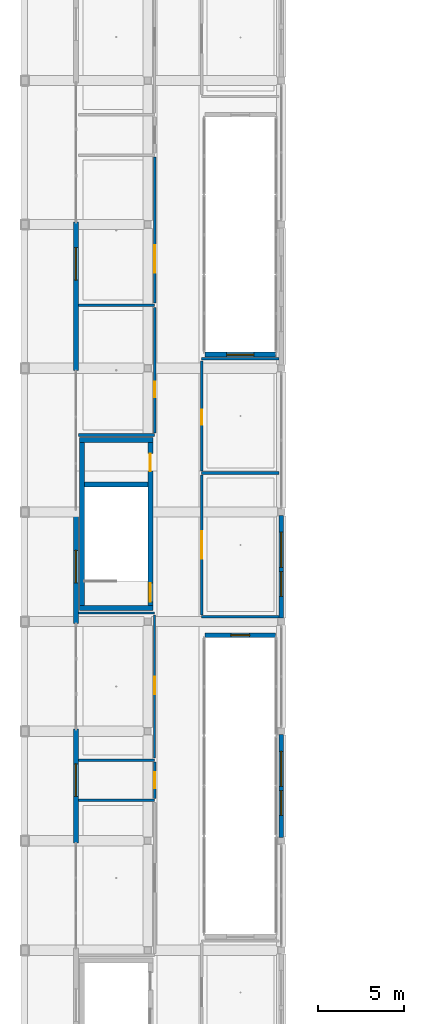
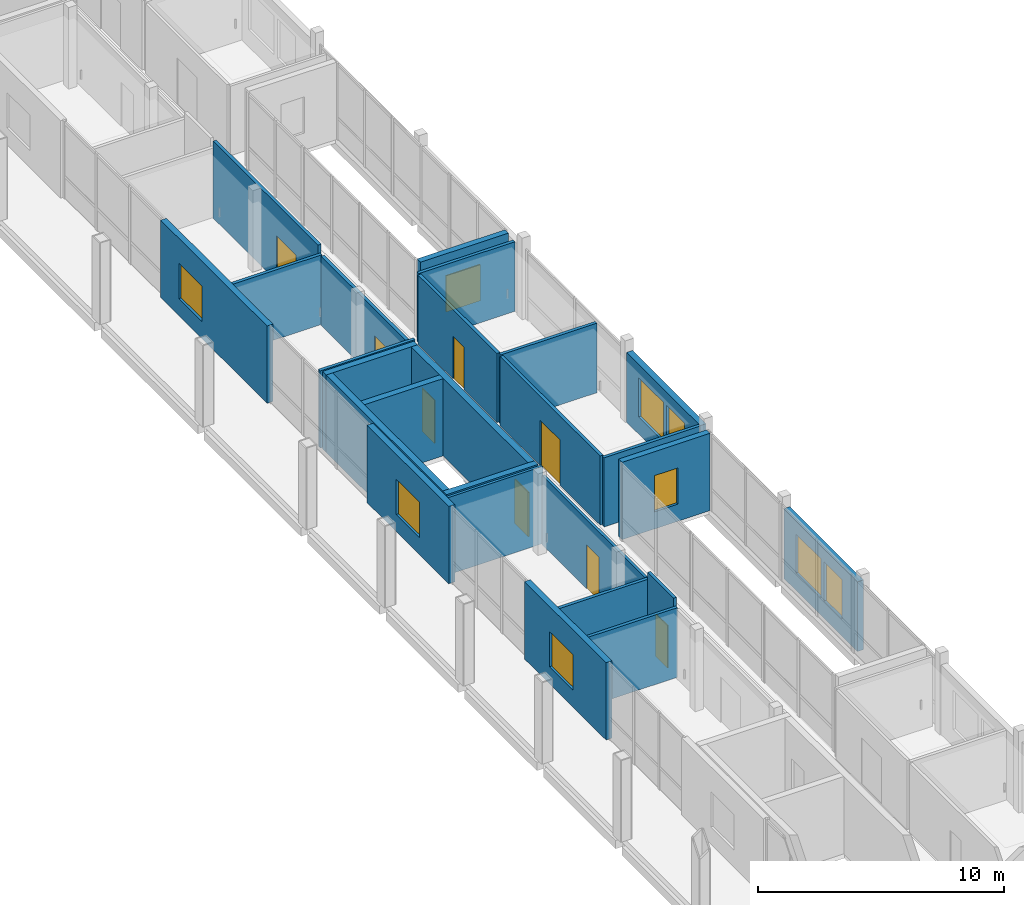
# One storey, part 12 of 24: 26 walls, 9 windows, 8 doors, 17 openings.
"""IFC4 building model written with IfcOpenShell, lengths in metres."""

from ifc_helpers import new_model, si_unit, derived_unit, direction, frame, frame_2d, origin, origin_with_axes, place, context, subcontext, project, spatial, rectangle, extrude, material, layer, layer_set, type_object, element, fill, save


model = new_model("IFC4")

# Units and contexts
model_context = context("Model", 3, precision=1e-05, world=origin(), true_north=direction((0.0, 1.0)))
body_context = subcontext(model_context, "Body", "Model", "MODEL_VIEW")
ifc_project = project(units=[si_unit("LENGTHUNIT", "METRE"), si_unit("AREAUNIT", "SQUARE_METRE"), si_unit("VOLUMEUNIT", "CUBIC_METRE"), si_unit("PLANEANGLEUNIT", "RADIAN"), si_unit("MASSUNIT", "GRAM", prefix="KILO"), derived_unit("THERMALTRANSMITTANCEUNIT", [(si_unit("POWERUNIT", "WATT"), 1), (si_unit("LENGTHUNIT", "METRE"), -2), (si_unit("THERMODYNAMICTEMPERATUREUNIT", "KELVIN"), -1)])], contexts=[model_context])

# Site, building, storey
site_placement = place(None, origin())
site = spatial("IfcSite", under=ifc_project, at=site_placement, CompositionType="ELEMENT")
building_placement = place(site_placement, origin())
building = spatial("IfcBuilding", under=site, at=building_placement, Name="Braskholm Square Health Centre", CompositionType="ELEMENT")
storey_placement = place(building_placement, frame((0.0, 0.0, 21.60009765625)))
storey = spatial("IfcBuildingStorey", under=building, at=storey_placement, Name="L06", CompositionType="ELEMENT", Elevation=21.60009765625)

# Wall, opening, door
ifc_material_1 = material(Name="Acoustic gypsum board partition")
ifc_layer_1 = layer(ifc_material_1, 0.125)
ifc_layer_set_1 = layer_set([ifc_layer_1], Name="Acoustic gypsum board partition")
wall_type_1 = type_object("IfcWallType", Name="ClinicalExamPartition125", PredefinedType="PARTITIONING", material=ifc_layer_set_1)
wall_1_placement = place(storey_placement, frame((11.800048828125, 41.030029296875, 0.0), z_axis=(0.0, 0.0, 1.0), x_axis=(0.0, 1.0, 0.0)))
wall_1 = element("IfcWall", 1, at=wall_1_placement, inside=storey, type_object=wall_type_1, Name="Interior partition PWALL-L06-0253", PredefinedType="PARTITIONING", context=body_context, shape_type="SweptSolid", body=[
    extrude(rectangle(XDim=8.349853515625, YDim=0.125, at=frame_2d((4.1748046875, 0.0))), origin(), (0.0, 0.0, 1.0), 3.434814453125),
])
opening_1_placement = place(wall_1_placement, frame((3.740966796875, 0.0, 0.0)))
opening_1 = element("IfcOpeningElement", 2, at=opening_1_placement, cuts=wall_1, Name="Opening D-25", PredefinedType="OPENING", context=body_context, shape_type="SweptSolid", body=[
    extrude(rectangle(XDim=1.02001953125, YDim=2.179931640625, at=frame_2d((0.510009765625, 1.08984375))), frame((0.0, 0.072509765625, 0.0), z_axis=(0.0, -1.0, 0.0), x_axis=(1.0, 0.0, 0.0)), (0.0, 0.0, 1.0), 0.14501953125),
])
ifc_material_2 = material(Name="Architectural bronze anodised aluminium", Category="aluminium")
door_type_1 = type_object("IfcDoorType", Name="DoorConsultWide1020x2180", OperationType="NOTDEFINED", PredefinedType="DOOR", material=ifc_material_2)
door_1_placement = place(opening_1_placement, origin_with_axes())
door_1 = element("IfcDoor", 3, at=door_1_placement, inside=storey, type_object=door_type_1, Name="Interior door 0117 L06", OperationType="SINGLE_SWING_RIGHT", OverallHeight=2.179931640625, OverallWidth=1.02001953125, PredefinedType="DOOR", context=body_context, shape_type="SweptSolid", body=[
    extrude(rectangle(XDim=1.02001953125, YDim=2.179931640625, at=frame_2d((0.510009765625, 1.08984375))), frame((0.0, 0.02490234375, 0.0), z_axis=(0.0, -1.0, 0.0), x_axis=(1.0, 0.0, 0.0)), (0.0, 0.0, 1.0), 0.050048828125),
])
fill(opening_1, door_1)

# Walls
wall_2_placement = place(storey_placement, frame((7.340087890625, 49.5, 0.0), z_axis=(0.0, 0.0, 1.0), x_axis=(1.0, 0.0, 0.0)))
element("IfcWall", 4, at=wall_2_placement, inside=storey, type_object=wall_type_1, Name="Interior partition PWALL-L06-0254", PredefinedType="PARTITIONING", context=body_context, shape_type="SweptSolid", body=[
    extrude(rectangle(XDim=4.4599609375, YDim=0.125, at=frame_2d((2.22998046875, 0.0))), origin(), (0.0, 0.0, 1.0), 3.8349609375),
])
ifc_layer_2 = layer(ifc_material_1, 0.14990234375)
ifc_layer_set_2 = layer_set([ifc_layer_2], Name="Acoustic gypsum board partition")
wall_type_2 = type_object("IfcWallType", Name="CorridorAcousticPartition150", PredefinedType="PARTITIONING", material=ifc_layer_set_2)
wall_3_placement = place(storey_placement, frame((7.340087890625, 38.56005859375, 0.0), z_axis=(0.0, 0.0, 1.0), x_axis=(1.0, 0.0, 0.0)))
element("IfcWall", 5, at=wall_3_placement, inside=storey, type_object=wall_type_2, Name="Interior partition PWALL-L06-0249", PredefinedType="PARTITIONING", context=body_context, shape_type="SweptSolid", body=[
    extrude(rectangle(XDim=4.4599609375, YDim=0.14990234375, at=frame_2d((2.22998046875, 0.0))), origin(), (0.0, 0.0, 1.0), 3.454833984375),
])

# Wall, opening, door
wall_4_placement = place(storey_placement, frame((11.800048828125, 38.679931640625, 0.0), z_axis=(0.0, 0.0, 1.0), x_axis=(0.0, 1.0, 0.0)))
wall_4 = element("IfcWall", 6, at=wall_4_placement, inside=storey, type_object=wall_type_2, Name="Interior partition PWALL-L06-0251", PredefinedType="PARTITIONING", context=body_context, shape_type="SweptSolid", body=[
    extrude(rectangle(XDim=2.110107421875, YDim=0.14990234375, at=frame_2d((1.05517578125, 0.0))), origin(), (0.0, 0.0, 1.0), 3.8349609375),
])
opening_2_placement = place(wall_4_placement, frame((0.574951171875, 0.0, 0.0)))
opening_2 = element("IfcOpeningElement", 7, at=opening_2_placement, cuts=wall_4, Name="Opening D-05", PredefinedType="OPENING", context=body_context, shape_type="SweptSolid", body=[
    extrude(rectangle(XDim=0.9599609375, YDim=2.10009765625, at=frame_2d((0.47998046875, 1.050048828125))), frame((0.0, 0.0849609375, 0.0), z_axis=(0.0, -1.0, 0.0), x_axis=(1.0, 0.0, 0.0)), (0.0, 0.0, 1.0), 0.169921875),
])
door_type_2 = type_object("IfcDoorType", Name="DoorAccessibleWC960x2100", OperationType="NOTDEFINED", PredefinedType="DOOR", material=ifc_material_2)
door_2_placement = place(opening_2_placement, origin_with_axes())
door_2 = element("IfcDoor", 8, at=door_2_placement, inside=storey, type_object=door_type_2, Name="Interior door 0116 L06", OperationType="SINGLE_SWING_LEFT", OverallHeight=2.10009765625, OverallWidth=0.9599609375, PredefinedType="DOOR", context=body_context, shape_type="SweptSolid", body=[
    extrude(rectangle(XDim=0.9599609375, YDim=2.10009765625, at=frame_2d((0.47998046875, 1.050048828125))), frame((0.0, 0.02490234375, 0.0), z_axis=(0.0, -1.0, 0.0), x_axis=(1.0, 0.0, 0.0)), (0.0, 0.0, 1.0), 0.050048828125),
])
fill(opening_2, door_2)

# Wall
wall_5_placement = place(storey_placement, frame((7.340087890625, 40.909912109375, 0.0), z_axis=(0.0, 0.0, 1.0), x_axis=(1.0, 0.0, 0.0)))
element("IfcWall", 9, at=wall_5_placement, inside=storey, type_object=wall_type_2, Name="Interior partition PWALL-L06-0252", PredefinedType="PARTITIONING", context=body_context, shape_type="SweptSolid", body=[
    extrude(rectangle(XDim=4.4599609375, YDim=0.14990234375, at=frame_2d((2.22998046875, 0.0))), origin(), (0.0, 0.0, 1.0), 3.454833984375),
])

# Wall, opening, door
wall_6_placement = place(storey_placement, frame((11.800048828125, 60.02001953125, 0.0), z_axis=(0.0, 0.0, 1.0), x_axis=(0.0, 1.0, 0.0)))
wall_6 = element("IfcWall", 10, at=wall_6_placement, inside=storey, type_object=wall_type_2, Name="Interior partition PWALL-L06-0255", PredefinedType="PARTITIONING", context=body_context, shape_type="SweptSolid", body=[
    extrude(rectangle(XDim=7.340087890625, YDim=0.14990234375, at=frame_2d((3.669921875, 0.0))), origin(), (0.0, 0.0, 1.0), 3.434814453125),
])
opening_3_placement = place(wall_6_placement, frame((2.08203125, 0.0, 0.0)))
opening_3 = element("IfcOpeningElement", 11, at=opening_3_placement, cuts=wall_6, Name="Opening D-07", PredefinedType="OPENING", context=body_context, shape_type="SweptSolid", body=[
    extrude(rectangle(XDim=0.89990234375, YDim=2.1201171875, at=frame_2d((0.449951171875, 1.06005859375))), frame((0.0, 0.0849609375, 0.0), z_axis=(0.0, -1.0, 0.0), x_axis=(1.0, 0.0, 0.0)), (0.0, 0.0, 1.0), 0.169921875),
])
door_type_3 = type_object("IfcDoorType", Name="DoorProviderOffice900x2120", OperationType="NOTDEFINED", PredefinedType="DOOR", material=ifc_material_2)
door_3_placement = place(opening_3_placement, origin_with_axes())
door_3 = element("IfcDoor", 12, at=door_3_placement, inside=storey, type_object=door_type_3, Name="Interior door 0118 L06", OperationType="SINGLE_SWING_LEFT", OverallHeight=2.1201171875, OverallWidth=0.89990234375, PredefinedType="DOOR", context=body_context, shape_type="SweptSolid", body=[
    extrude(rectangle(XDim=0.89990234375, YDim=2.1201171875, at=frame_2d((0.449951171875, 1.06005859375))), frame((0.0, 0.02490234375, 0.0), z_axis=(0.0, -1.0, 0.0), x_axis=(1.0, 0.0, 0.0)), (0.0, 0.0, 1.0), 0.050048828125),
])
fill(opening_3, door_3)

# Walls
wall_7_placement = place(storey_placement, frame((7.340087890625, 67.47998046875, 0.0), z_axis=(0.0, 0.0, 1.0), x_axis=(1.0, 0.0, 0.0)))
element("IfcWall", 13, at=wall_7_placement, inside=storey, type_object=wall_type_2, Name="Interior partition PWALL-L06-0256", PredefinedType="PARTITIONING", context=body_context, shape_type="SweptSolid", body=[
    extrude(rectangle(XDim=4.4599609375, YDim=0.14990234375, at=frame_2d((2.22998046875, 0.0))), origin(), (0.0, 0.0, 1.0), 3.454833984375),
])
wall_8_placement = place(storey_placement, frame((7.340087890625, 59.89990234375, 0.0), z_axis=(0.0, 0.0, 1.0), x_axis=(1.0, 0.0, 0.0)))
element("IfcWall", 14, at=wall_8_placement, inside=storey, type_object=wall_type_2, Name="Interior partition PWALL-L06-0257", PredefinedType="PARTITIONING", context=body_context, shape_type="SweptSolid", body=[
    extrude(rectangle(XDim=4.4599609375, YDim=0.14990234375, at=frame_2d((2.22998046875, 0.0))), origin(), (0.0, 0.0, 1.0), 3.8349609375),
])

# Wall, opening, door
wall_9_placement = place(storey_placement, frame((11.800048828125, 67.60009765625, 0.0), z_axis=(0.0, 0.0, 1.0), x_axis=(0.0, 1.0, 0.0)))
wall_9 = element("IfcWall", 15, at=wall_9_placement, inside=storey, type_object=wall_type_2, Name="Interior partition PWALL-L06-0258", PredefinedType="PARTITIONING", context=body_context, shape_type="SweptSolid", body=[
    extrude(rectangle(XDim=8.52978515625, YDim=0.14990234375, at=frame_2d((4.264892578125, 0.0))), origin(), (0.0, 0.0, 1.0), 3.8349609375),
])
opening_4_placement = place(wall_9_placement, frame((1.785888671875, 0.0, 0.0)))
opening_4 = element("IfcOpeningElement", 16, at=opening_4_placement, cuts=wall_9, Name="Opening D-11", PredefinedType="OPENING", context=body_context, shape_type="SweptSolid", body=[
    extrude(rectangle(XDim=1.60009765625, YDim=2.25, at=frame_2d((0.800048828125, 1.125))), frame((0.0, 0.0849609375, 0.0), z_axis=(0.0, -1.0, 0.0), x_axis=(1.0, 0.0, 0.0)), (0.0, 0.0, 1.0), 0.169921875),
])
door_type_4 = type_object("IfcDoorType", Name="DoorClassroomDouble1600x2250", OperationType="DOUBLE_DOOR_SINGLE_SWING", PredefinedType="DOOR", material=ifc_material_2)
door_4_placement = place(opening_4_placement, origin_with_axes())
door_4 = element("IfcDoor", 17, at=door_4_placement, inside=storey, type_object=door_type_4, Name="Interior door 0119 L06", OperationType="DOUBLE_DOOR_SINGLE_SWING", OverallHeight=2.25, OverallWidth=1.60009765625, PredefinedType="DOOR", context=body_context, shape_type="SweptSolid", body=[
    extrude(rectangle(XDim=1.60009765625, YDim=2.25, at=frame_2d((0.800048828125, 1.125))), frame((0.0, 0.02490234375, 0.0), z_axis=(0.0, -1.0, 0.0), x_axis=(1.0, 0.0, 0.0)), (0.0, 0.0, 1.0), 0.050048828125),
])
fill(opening_4, door_4)

wall_10_placement = place(storey_placement, frame((14.550048828125, 49.39990234375, 0.0), z_axis=(0.0, 0.0, 1.0), x_axis=(0.0, 1.0, 0.0)))
wall_10 = element("IfcWall", 18, at=wall_10_placement, inside=storey, type_object=wall_type_2, Name="Interior partition PWALL-L06-0276", PredefinedType="PARTITIONING", context=body_context, shape_type="SweptSolid", body=[
    extrude(rectangle(XDim=8.16015625, YDim=0.14990234375, at=frame_2d((4.080078125, 0.0))), origin(), (0.0, 0.0, 1.0), 3.434814453125),
])
opening_5_placement = place(wall_10_placement, frame((3.280029296875, 0.0, 0.0)))
opening_5 = element("IfcOpeningElement", 19, at=opening_5_placement, cuts=wall_10, Name="Opening D-11", PredefinedType="OPENING", context=body_context, shape_type="SweptSolid", body=[
    extrude(rectangle(XDim=1.60009765625, YDim=2.25, at=frame_2d((0.800048828125, 1.125))), frame((0.0, 0.0849609375, 0.0), z_axis=(0.0, -1.0, 0.0), x_axis=(1.0, 0.0, 0.0)), (0.0, 0.0, 1.0), 0.169921875),
])
door_5_placement = place(opening_5_placement, frame((1.60009765625, 0.0, 0.0), z_axis=(0.0, 0.0, 1.0), x_axis=(-1.0, 0.0, 0.0)))
door_5 = element("IfcDoor", 20, at=door_5_placement, inside=storey, type_object=door_type_4, Name="Interior door 0128 L06", OperationType="DOUBLE_DOOR_SINGLE_SWING", OverallHeight=2.25, OverallWidth=1.60009765625, PredefinedType="DOOR", context=body_context, shape_type="SweptSolid", body=[
    extrude(rectangle(XDim=1.60009765625, YDim=2.25, at=frame_2d((0.800048828125, 1.125))), frame((0.0, 0.02490234375, 0.0), z_axis=(0.0, -1.0, 0.0), x_axis=(1.0, 0.0, 0.0)), (0.0, 0.0, 1.0), 0.050048828125),
])
fill(opening_5, door_5)

# Walls
wall_11_placement = place(storey_placement, frame((14.550048828125, 49.280029296875, 0.0), z_axis=(0.0, 0.0, 1.0), x_axis=(1.0, 0.0, 0.0)))
element("IfcWall", 21, at=wall_11_placement, inside=storey, type_object=wall_type_2, Name="Interior partition PWALL-L06-0277", PredefinedType="PARTITIONING", context=body_context, shape_type="SweptSolid", body=[
    extrude(rectangle(XDim=4.510009765625, YDim=0.14990234375, at=frame_2d((2.2548828125, 0.0))), origin(), (0.0, 0.0, 1.0), 3.434814453125),
])
wall_12_placement = place(storey_placement, frame((14.550048828125, 57.679931640625, 0.0), z_axis=(0.0, 0.0, 1.0), x_axis=(1.0, 0.0, 0.0)))
element("IfcWall", 22, at=wall_12_placement, inside=storey, type_object=wall_type_2, Name="Interior partition PWALL-L06-0278", PredefinedType="PARTITIONING", context=body_context, shape_type="SweptSolid", body=[
    extrude(rectangle(XDim=4.510009765625, YDim=0.14990234375, at=frame_2d((2.2548828125, 0.0))), origin(), (0.0, 0.0, 1.0), 3.454833984375),
])

# Wall, opening, door
wall_13_placement = place(storey_placement, frame((14.550048828125, 57.800048828125, 0.0), z_axis=(0.0, 0.0, 1.0), x_axis=(0.0, 1.0, 0.0)))
wall_13 = element("IfcWall", 23, at=wall_13_placement, inside=storey, type_object=wall_type_2, Name="Interior partition PWALL-L06-0279", PredefinedType="PARTITIONING", context=body_context, shape_type="SweptSolid", body=[
    extrude(rectangle(XDim=6.429931640625, YDim=0.14990234375, at=frame_2d((3.21484375, 0.0))), origin(), (0.0, 0.0, 1.0), 3.434814453125),
])
opening_6_placement = place(wall_13_placement, frame((2.68896484375, 0.0, 0.0)))
opening_6 = element("IfcOpeningElement", 24, at=opening_6_placement, cuts=wall_13, Name="Opening D-07", PredefinedType="OPENING", context=body_context, shape_type="SweptSolid", body=[
    extrude(rectangle(XDim=0.89990234375, YDim=2.1201171875, at=frame_2d((0.449951171875, 1.06005859375))), frame((0.0, 0.0849609375, 0.0), z_axis=(0.0, -1.0, 0.0), x_axis=(1.0, 0.0, 0.0)), (0.0, 0.0, 1.0), 0.169921875),
])
door_6_placement = place(opening_6_placement, frame((0.89990234375, 0.0, 0.0), z_axis=(0.0, 0.0, 1.0), x_axis=(-1.0, 0.0, 0.0)))
door_6 = element("IfcDoor", 25, at=door_6_placement, inside=storey, type_object=door_type_3, Name="Interior door 0129 L06", OperationType="SINGLE_SWING_RIGHT", OverallHeight=2.1201171875, OverallWidth=0.89990234375, PredefinedType="DOOR", context=body_context, shape_type="SweptSolid", body=[
    extrude(rectangle(XDim=0.89990234375, YDim=2.1201171875, at=frame_2d((0.449951171875, 1.06005859375))), frame((0.0, 0.02490234375, 0.0), z_axis=(0.0, -1.0, 0.0), x_axis=(1.0, 0.0, 0.0)), (0.0, 0.0, 1.0), 0.050048828125),
])
fill(opening_6, door_6)

# Wall
wall_14_placement = place(storey_placement, frame((14.550048828125, 64.35009765625, 0.0), z_axis=(0.0, 0.0, 1.0), x_axis=(1.0, 0.0, 0.0)))
element("IfcWall", 26, at=wall_14_placement, inside=storey, type_object=wall_type_2, Name="Interior partition PWALL-L06-0280", PredefinedType="PARTITIONING", context=body_context, shape_type="SweptSolid", body=[
    extrude(rectangle(XDim=4.510009765625, YDim=0.14990234375, at=frame_2d((2.2548828125, 0.0))), origin(), (0.0, 0.0, 1.0), 3.454833984375),
])

# Wall, opening, window
ifc_material_3 = material(Name="Precast concrete C40/50 architectural white", Category="concrete")
ifc_layer_3 = layer(ifc_material_3, 0.280029296875)
ifc_layer_set_3 = layer_set([ifc_layer_3], Name="Precast concrete C40/50 architectural white")
wall_type_3 = type_object("IfcWallType", Name="ExteriorPrecastSpandrelWall280", PredefinedType="SOLIDWALL", material=ifc_layer_set_3)
wall_15_placement = place(storey_placement, frame((7.199951171875, 42.722900390625, 0.0), z_axis=(0.0, 0.0, 1.0), x_axis=(0.0, -1.0, 0.0)))
wall_15 = element("IfcWall", 27, at=wall_15_placement, inside=storey, type_object=wall_type_3, Name="Exterior wall EWALL-L06-0046", PredefinedType="SOLIDWALL", context=body_context, shape_type="SweptSolid", body=[
    extrude(rectangle(XDim=6.64599609375, YDim=0.280029296875, at=frame_2d((3.322998046875, 0.0))), origin(), (0.0, 0.0, 1.0), 3.83984375),
])
opening_7_placement = place(wall_15_placement, frame((2.0380859375, 0.0, 0.85009765625)))
opening_7 = element("IfcOpeningElement", 28, at=opening_7_placement, cuts=wall_15, Name="Opening WN-23", PredefinedType="OPENING", context=body_context, shape_type="SweptSolid", body=[
    extrude(rectangle(XDim=1.89990234375, YDim=1.75, at=frame_2d((0.949951171875, 0.875))), frame((0.0, 0.14990234375, 0.0), z_axis=(0.0, -1.0, 0.0), x_axis=(1.0, 0.0, 0.0)), (0.0, 0.0, 1.0), 0.300048828125),
])
ifc_material_4 = material(Name="Low-E triple insulating glass (VLT 0.64)", Category="glass")
window_type_1 = type_object("IfcWindowType", Name="WinCrownSetback1900x1750", PartitioningType="SINGLE_PANEL", PredefinedType="WINDOW", material=ifc_material_4)
window_1_placement = place(opening_7_placement, origin_with_axes())
window_1 = element("IfcWindow", 29, at=window_1_placement, inside=storey, type_object=window_type_1, Name="Exterior window 0085 L06", OverallHeight=1.75, OverallWidth=1.89990234375, PartitioningType="SINGLE_PANEL", PredefinedType="WINDOW", context=body_context, shape_type="SweptSolid", body=[
    extrude(rectangle(XDim=1.89990234375, YDim=1.75, at=frame_2d((0.949951171875, 0.875))), frame((0.0, 0.030029296875, 0.0), z_axis=(0.0, -1.0, 0.0), x_axis=(1.0, 0.0, 0.0)), (0.0, 0.0, 1.0), 0.06005859375),
])
fill(opening_7, window_1)

wall_16_placement = place(storey_placement, frame((7.199951171875, 55.534912109375, 0.0), z_axis=(0.0, 0.0, 1.0), x_axis=(0.0, -1.0, 0.0)))
wall_16 = element("IfcWall", 30, at=wall_16_placement, inside=storey, type_object=wall_type_3, Name="Exterior wall EWALL-L06-0047", PredefinedType="SOLIDWALL", context=body_context, shape_type="SweptSolid", body=[
    extrude(rectangle(XDim=6.657958984375, YDim=0.280029296875, at=frame_2d((3.3291015625, 0.0))), origin(), (0.0, 0.0, 1.0), 3.83984375),
])
opening_8_placement = place(wall_16_placement, frame((2.37890625, 0.0, 0.85009765625)))
opening_8 = element("IfcOpeningElement", 31, at=opening_8_placement, cuts=wall_16, Name="Opening WN-23", PredefinedType="OPENING", context=body_context, shape_type="SweptSolid", body=[
    extrude(rectangle(XDim=1.89990234375, YDim=1.75, at=frame_2d((0.949951171875, 0.875))), frame((0.0, 0.14990234375, 0.0), z_axis=(0.0, -1.0, 0.0), x_axis=(1.0, 0.0, 0.0)), (0.0, 0.0, 1.0), 0.300048828125),
])
window_2_placement = place(opening_8_placement, origin_with_axes())
window_2 = element("IfcWindow", 32, at=window_2_placement, inside=storey, type_object=window_type_1, Name="Exterior window 0086 L06", OverallHeight=1.75, OverallWidth=1.89990234375, PartitioningType="SINGLE_PANEL", PredefinedType="WINDOW", context=body_context, shape_type="SweptSolid", body=[
    extrude(rectangle(XDim=1.89990234375, YDim=1.75, at=frame_2d((0.949951171875, 0.875))), frame((0.0, 0.030029296875, 0.0), z_axis=(0.0, -1.0, 0.0), x_axis=(1.0, 0.0, 0.0)), (0.0, 0.0, 1.0), 0.06005859375),
])
fill(opening_8, window_2)

wall_17_placement = place(storey_placement, frame((7.199951171875, 72.3349609375, 0.0), z_axis=(0.0, 0.0, 1.0), x_axis=(0.0, -1.0, 0.0)))
wall_17 = element("IfcWall", 33, at=wall_17_placement, inside=storey, type_object=wall_type_3, Name="Exterior wall EWALL-L06-0048", PredefinedType="SOLIDWALL", context=body_context, shape_type="SweptSolid", body=[
    extrude(rectangle(XDim=8.669921875, YDim=0.280029296875, at=frame_2d((4.3349609375, 0.0))), origin(), (0.0, 0.0, 1.0), 3.83984375),
])
opening_9_placement = place(wall_17_placement, frame((1.489990234375, 0.0, 0.85009765625)))
opening_9 = element("IfcOpeningElement", 34, at=opening_9_placement, cuts=wall_17, Name="Opening WN-23", PredefinedType="OPENING", context=body_context, shape_type="SweptSolid", body=[
    extrude(rectangle(XDim=1.89990234375, YDim=1.75, at=frame_2d((0.949951171875, 0.875))), frame((0.0, 0.14990234375, 0.0), z_axis=(0.0, -1.0, 0.0), x_axis=(1.0, 0.0, 0.0)), (0.0, 0.0, 1.0), 0.300048828125),
])
window_3_placement = place(opening_9_placement, origin_with_axes())
window_3 = element("IfcWindow", 35, at=window_3_placement, inside=storey, type_object=window_type_1, Name="Exterior window 0087 L06", OverallHeight=1.75, OverallWidth=1.89990234375, PartitioningType="SINGLE_PANEL", PredefinedType="WINDOW", context=body_context, shape_type="SweptSolid", body=[
    extrude(rectangle(XDim=1.89990234375, YDim=1.75, at=frame_2d((0.949951171875, 0.875))), frame((0.0, 0.030029296875, 0.0), z_axis=(0.0, -1.0, 0.0), x_axis=(1.0, 0.0, 0.0)), (0.0, 0.0, 1.0), 0.06005859375),
])
fill(opening_9, window_3)

# Wall, openings, windows
wall_18_placement = place(storey_placement, frame((19.199951171875, 36.402099609375, 0.0), z_axis=(0.0, 0.0, 1.0), x_axis=(0.0, 1.0, 0.0)))
wall_18 = element("IfcWall", 36, at=wall_18_placement, inside=storey, type_object=wall_type_3, Name="Exterior wall EWALL-L06-0151", PredefinedType="SOLIDWALL", context=body_context, shape_type="SweptSolid", body=[
    extrude(rectangle(XDim=5.995849609375, YDim=0.280029296875, at=frame_2d((2.998046875, 0.0))), origin(), (0.0, 0.0, 1.0), 3.4599609375),
])
opening_10_placement = place(wall_18_placement, frame((1.27392578125, 0.0, 0.85009765625)))
opening_10 = element("IfcOpeningElement", 37, at=opening_10_placement, cuts=wall_18, Name="Opening WN-24", PredefinedType="OPENING", context=body_context, shape_type="SweptSolid", body=[
    extrude(rectangle(XDim=1.449951171875, YDim=1.949951171875, at=frame_2d((0.72509765625, 0.97509765625))), frame((0.0, 0.14990234375, 0.0), z_axis=(0.0, -1.0, 0.0), x_axis=(1.0, 0.0, 0.0)), (0.0, 0.0, 1.0), 0.300048828125),
])
opening_11_placement = place(wall_18_placement, frame((2.971923828125, 0.0, 0.85009765625)))
opening_11 = element("IfcOpeningElement", 38, at=opening_11_placement, cuts=wall_18, Name="Opening WN-25", PredefinedType="OPENING", context=body_context, shape_type="SweptSolid", body=[
    extrude(rectangle(XDim=2.050048828125, YDim=1.949951171875, at=frame_2d((1.02490234375, 0.97509765625))), frame((0.0, 0.14990234375, 0.0), z_axis=(0.0, -1.0, 0.0), x_axis=(1.0, 0.0, 0.0)), (0.0, 0.0, 1.0), 0.300048828125),
])
window_type_2 = type_object("IfcWindowType", Name="WinValleyTerrace1450x1950", PartitioningType="SINGLE_PANEL", PredefinedType="WINDOW", material=ifc_material_4)
window_4_placement = place(opening_10_placement, origin_with_axes())
window_4 = element("IfcWindow", 39, at=window_4_placement, inside=storey, type_object=window_type_2, Name="Exterior window 0212 L06", OverallHeight=1.949951171875, OverallWidth=1.449951171875, PartitioningType="SINGLE_PANEL", PredefinedType="WINDOW", context=body_context, shape_type="SweptSolid", body=[
    extrude(rectangle(XDim=1.449951171875, YDim=1.949951171875, at=frame_2d((0.72509765625, 0.97509765625))), frame((0.0, 0.030029296875, 0.0), z_axis=(0.0, -1.0, 0.0), x_axis=(1.0, 0.0, 0.0)), (0.0, 0.0, 1.0), 0.06005859375),
])
fill(opening_10, window_4)
window_type_3 = type_object("IfcWindowType", Name="WinValleyTerrace2050x1950", PartitioningType="SINGLE_PANEL", PredefinedType="WINDOW", material=ifc_material_4)
window_5_placement = place(opening_11_placement, origin_with_axes())
window_5 = element("IfcWindow", 40, at=window_5_placement, inside=storey, type_object=window_type_3, Name="Exterior window 0213 L06", OverallHeight=1.949951171875, OverallWidth=2.050048828125, PartitioningType="SINGLE_PANEL", PredefinedType="WINDOW", context=body_context, shape_type="SweptSolid", body=[
    extrude(rectangle(XDim=2.050048828125, YDim=1.949951171875, at=frame_2d((1.02490234375, 0.97509765625))), frame((0.0, 0.030029296875, 0.0), z_axis=(0.0, -1.0, 0.0), x_axis=(1.0, 0.0, 0.0)), (0.0, 0.0, 1.0), 0.06005859375),
])
fill(opening_11, window_5)

wall_19_placement = place(storey_placement, frame((19.199951171875, 49.201904296875, 0.0), z_axis=(0.0, 0.0, 1.0), x_axis=(0.0, 1.0, 0.0)))
wall_19 = element("IfcWall", 41, at=wall_19_placement, inside=storey, type_object=wall_type_3, Name="Exterior wall EWALL-L06-0152", PredefinedType="SOLIDWALL", context=body_context, shape_type="SweptSolid", body=[
    extrude(rectangle(XDim=5.99609375, YDim=0.280029296875, at=frame_2d((2.998046875, 0.0))), origin(), (0.0, 0.0, 1.0), 3.4599609375),
])
opening_12_placement = place(wall_19_placement, frame((1.27392578125, 0.0, 0.85009765625)))
opening_12 = element("IfcOpeningElement", 42, at=opening_12_placement, cuts=wall_19, Name="Opening WN-24", PredefinedType="OPENING", context=body_context, shape_type="SweptSolid", body=[
    extrude(rectangle(XDim=1.449951171875, YDim=1.949951171875, at=frame_2d((0.72509765625, 0.97509765625))), frame((0.0, 0.14990234375, 0.0), z_axis=(0.0, -1.0, 0.0), x_axis=(1.0, 0.0, 0.0)), (0.0, 0.0, 1.0), 0.300048828125),
])
opening_13_placement = place(wall_19_placement, frame((2.971923828125, 0.0, 0.85009765625)))
opening_13 = element("IfcOpeningElement", 43, at=opening_13_placement, cuts=wall_19, Name="Opening WN-25", PredefinedType="OPENING", context=body_context, shape_type="SweptSolid", body=[
    extrude(rectangle(XDim=2.050048828125, YDim=1.949951171875, at=frame_2d((1.02490234375, 0.97509765625))), frame((0.0, 0.14990234375, 0.0), z_axis=(0.0, -1.0, 0.0), x_axis=(1.0, 0.0, 0.0)), (0.0, 0.0, 1.0), 0.300048828125),
])
window_6_placement = place(opening_12_placement, origin_with_axes())
window_6 = element("IfcWindow", 44, at=window_6_placement, inside=storey, type_object=window_type_2, Name="Exterior window 0214 L06", OverallHeight=1.949951171875, OverallWidth=1.449951171875, PartitioningType="SINGLE_PANEL", PredefinedType="WINDOW", context=body_context, shape_type="SweptSolid", body=[
    extrude(rectangle(XDim=1.449951171875, YDim=1.949951171875, at=frame_2d((0.72509765625, 0.97509765625))), frame((0.0, 0.030029296875, 0.0), z_axis=(0.0, -1.0, 0.0), x_axis=(1.0, 0.0, 0.0)), (0.0, 0.0, 1.0), 0.06005859375),
])
fill(opening_12, window_6)
window_7_placement = place(opening_13_placement, origin_with_axes())
window_7 = element("IfcWindow", 45, at=window_7_placement, inside=storey, type_object=window_type_3, Name="Exterior window 0215 L06", OverallHeight=1.949951171875, OverallWidth=2.050048828125, PartitioningType="SINGLE_PANEL", PredefinedType="WINDOW", context=body_context, shape_type="SweptSolid", body=[
    extrude(rectangle(XDim=2.050048828125, YDim=1.949951171875, at=frame_2d((1.02490234375, 0.97509765625))), frame((0.0, 0.030029296875, 0.0), z_axis=(0.0, -1.0, 0.0), x_axis=(1.0, 0.0, 0.0)), (0.0, 0.0, 1.0), 0.06005859375),
])
fill(opening_13, window_7)

# Wall, opening, window
wall_20_placement = place(storey_placement, frame((14.73388671875, 48.199951171875, 0.0), z_axis=(0.0, 0.0, 1.0), x_axis=(1.0, 0.0, 0.0)))
wall_20 = element("IfcWall", 46, at=wall_20_placement, inside=storey, type_object=wall_type_3, Name="Exterior wall EWALL-L06-0294", PredefinedType="SOLIDWALL", context=body_context, shape_type="SweptSolid", body=[
    extrude(rectangle(XDim=4.132080078125, YDim=0.280029296875, at=frame_2d((2.06591796875, 0.0))), origin(), (0.0, 0.0, 1.0), 3.83984375),
])
opening_14_placement = place(wall_20_placement, frame((1.51611328125, 0.0, 0.85009765625)))
opening_14 = element("IfcOpeningElement", 47, at=opening_14_placement, cuts=wall_20, Name="Opening WN-26", PredefinedType="OPENING", context=body_context, shape_type="SweptSolid", body=[
    extrude(rectangle(XDim=1.10009765625, YDim=1.800048828125, at=frame_2d((0.550048828125, 0.89990234375))), frame((0.0, 0.14990234375, 0.0), z_axis=(0.0, -1.0, 0.0), x_axis=(1.0, 0.0, 0.0)), (0.0, 0.0, 1.0), 0.300048828125),
])
window_type_4 = type_object("IfcWindowType", Name="WinLightCourt1100x1800", PartitioningType="SINGLE_PANEL", PredefinedType="WINDOW", material=ifc_material_4)
window_8_placement = place(opening_14_placement, origin_with_axes())
window_8 = element("IfcWindow", 48, at=window_8_placement, inside=storey, type_object=window_type_4, Name="Exterior window 0340 L06", OverallHeight=1.800048828125, OverallWidth=1.10009765625, PartitioningType="SINGLE_PANEL", PredefinedType="WINDOW", context=body_context, shape_type="SweptSolid", body=[
    extrude(rectangle(XDim=1.10009765625, YDim=1.800048828125, at=frame_2d((0.550048828125, 0.89990234375))), frame((0.0, 0.030029296875, 0.0), z_axis=(0.0, -1.0, 0.0), x_axis=(1.0, 0.0, 0.0)), (0.0, 0.0, 1.0), 0.06005859375),
])
fill(opening_14, window_8)

wall_21_placement = place(storey_placement, frame((18.865966796875, 64.60009765625, 0.0), z_axis=(0.0, 0.0, 1.0), x_axis=(-1.0, 0.0, 0.0)))
wall_21 = element("IfcWall", 49, at=wall_21_placement, inside=storey, type_object=wall_type_3, Name="Exterior wall EWALL-L06-0305", PredefinedType="SOLIDWALL", context=body_context, shape_type="SweptSolid", body=[
    extrude(rectangle(XDim=4.132080078125, YDim=0.280029296875, at=frame_2d((2.06591796875, 0.0))), origin(), (0.0, 0.0, 1.0), 3.83984375),
])
opening_15_placement = place(wall_21_placement, frame((1.26611328125, 0.0, 0.85009765625)))
opening_15 = element("IfcOpeningElement", 50, at=opening_15_placement, cuts=wall_21, Name="Opening WN-27", PredefinedType="OPENING", context=body_context, shape_type="SweptSolid", body=[
    extrude(rectangle(XDim=1.60009765625, YDim=1.800048828125, at=frame_2d((0.800048828125, 0.89990234375))), frame((0.0, 0.14990234375, 0.0), z_axis=(0.0, -1.0, 0.0), x_axis=(1.0, 0.0, 0.0)), (0.0, 0.0, 1.0), 0.300048828125),
])
window_type_5 = type_object("IfcWindowType", Name="WinLightCourt1600x1800", PartitioningType="SINGLE_PANEL", PredefinedType="WINDOW", material=ifc_material_4)
window_9_placement = place(opening_15_placement, origin_with_axes())
window_9 = element("IfcWindow", 51, at=window_9_placement, inside=storey, type_object=window_type_5, Name="Exterior window 0351 L06", OverallHeight=1.800048828125, OverallWidth=1.60009765625, PartitioningType="SINGLE_PANEL", PredefinedType="WINDOW", context=body_context, shape_type="SweptSolid", body=[
    extrude(rectangle(XDim=1.60009765625, YDim=1.800048828125, at=frame_2d((0.800048828125, 0.89990234375))), frame((0.0, 0.030029296875, 0.0), z_axis=(0.0, -1.0, 0.0), x_axis=(1.0, 0.0, 0.0)), (0.0, 0.0, 1.0), 0.06005859375),
])
fill(opening_15, window_9)

# Walls
ifc_material_5 = material(Name="Concrete C40/50 (f'c = 40 MPa)", Category="concrete")
ifc_layer_4 = layer(ifc_material_5, 0.300048828125)
ifc_layer_set_4 = layer_set([ifc_layer_4], Name="Concrete C40/50 (f'c = 40 MPa)")
wall_type_4 = type_object("IfcWallType", Name="ShearCoreWall300", PredefinedType="SHEAR", material=ifc_layer_set_4)
for number, where, z_axis, x_axis, name in (
    (52, (7.39990234375, 49.800048828125, 0.0), (0.0, 0.0, 1.0), (1.0, 0.0, 0.0), "CWALL-K2-L06 south wall"),
    (53, (11.699951171875, 59.60009765625, 0.0), (0.0, 0.0, 1.0), (-1.0, 0.0, 0.0), "CWALL-K2-L06 north wall"),
):
    element("IfcWall", number, at=place(storey_placement, frame(where, z_axis=z_axis, x_axis=x_axis)), inside=storey, type_object=wall_type_4, Name=name, PredefinedType="SHEAR", context=body_context, shape_type="SweptSolid", body=[
        extrude(rectangle(XDim=4.300048828125, YDim=0.300048828125, at=frame_2d((2.14990234375, 0.0))), origin(), (0.0, 0.0, 1.0), 3.83984375),
    ])
wall_22_placement = place(storey_placement, frame((7.550048828125, 59.449951171875, 0.0), z_axis=(0.0, 0.0, 1.0), x_axis=(0.0, -1.0, 0.0)))
element("IfcWall", 54, at=wall_22_placement, inside=storey, type_object=wall_type_4, Name="CWALL-K2-L06 west wall", PredefinedType="SHEAR", context=body_context, shape_type="SweptSolid", body=[
    extrude(rectangle(XDim=9.5, YDim=0.300048828125, at=frame_2d((4.75, 0.0))), origin(), (0.0, 0.0, 1.0), 3.83984375),
])

# Wall, openings, doors
wall_23_placement = place(storey_placement, frame((11.550048828125, 49.949951171875, 0.0), z_axis=(0.0, 0.0, 1.0), x_axis=(0.0, 1.0, 0.0)))
wall_23 = element("IfcWall", 55, at=wall_23_placement, inside=storey, type_object=wall_type_4, Name="CWALL-K2-L06 east wall", PredefinedType="SHEAR", context=body_context, shape_type="SweptSolid", body=[
    extrude(rectangle(XDim=9.5, YDim=0.300048828125, at=frame_2d((4.75, 0.0))), origin(), (0.0, 0.0, 1.0), 3.83984375),
])
opening_16_placement = place(wall_23_placement, frame((0.199951171875, 0.0, 0.0)))
opening_16 = element("IfcOpeningElement", 56, at=opening_16_placement, cuts=wall_23, Name="Opening D-22", PredefinedType="OPENING", context=body_context, shape_type="SweptSolid", body=[
    extrude(rectangle(XDim=1.10009765625, YDim=2.199951171875, at=frame_2d((0.550048828125, 1.10009765625))), frame((0.0, 0.16015625, 0.0), z_axis=(0.0, -1.0, 0.0), x_axis=(1.0, 0.0, 0.0)), (0.0, 0.0, 1.0), 0.320068359375),
])
opening_17_placement = place(wall_23_placement, frame((7.840087890625, 0.0, 0.0)))
opening_17 = element("IfcOpeningElement", 57, at=opening_17_placement, cuts=wall_23, Name="Opening LD-2", PredefinedType="OPENING", context=body_context, shape_type="SweptSolid", body=[
    extrude(rectangle(XDim=1.02001953125, YDim=2.14990234375, at=frame_2d((0.510009765625, 1.074951171875))), frame((0.0, 0.16015625, 0.0), z_axis=(0.0, -1.0, 0.0), x_axis=(1.0, 0.0, 0.0)), (0.0, 0.0, 1.0), 0.320068359375),
])
door_type_5 = type_object("IfcDoorType", Name="DoorLiftLandingPassenger1020x2150", OperationType="SLIDING_TO_LEFT", PredefinedType="DOOR", material=ifc_material_2)
door_7_placement = place(opening_17_placement, origin_with_axes())
door_7 = element("IfcDoor", 58, at=door_7_placement, inside=storey, type_object=door_type_5, Name="Elevator EL-04 sliding landing door L06", OperationType="SLIDING_TO_LEFT", OverallHeight=2.14990234375, OverallWidth=1.02001953125, PredefinedType="DOOR", context=body_context, shape_type="SweptSolid", body=[
    extrude(rectangle(XDim=1.02001953125, YDim=2.14990234375, at=frame_2d((0.510009765625, 1.074951171875))), frame((0.0, 0.02490234375, 0.0), z_axis=(0.0, -1.0, 0.0), x_axis=(1.0, 0.0, 0.0)), (0.0, 0.0, 1.0), 0.050048828125),
])
fill(opening_17, door_7)
door_type_6 = type_object("IfcDoorType", Name="DoorStairEnclosure1100x2200", OperationType="NOTDEFINED", PredefinedType="DOOR", material=ifc_material_2)
door_8_placement = place(opening_16_placement, origin_with_axes())
door_8 = element("IfcDoor", 59, at=door_8_placement, inside=storey, type_object=door_type_6, Name="Stair ST-02 door L06", OperationType="SINGLE_SWING_LEFT", OverallHeight=2.199951171875, OverallWidth=1.10009765625, PredefinedType="DOOR", context=body_context, shape_type="SweptSolid", body=[
    extrude(rectangle(XDim=1.10009765625, YDim=2.199951171875, at=frame_2d((0.550048828125, 1.10009765625))), frame((0.0, 0.02490234375, 0.0), z_axis=(0.0, -1.0, 0.0), x_axis=(1.0, 0.0, 0.0)), (0.0, 0.0, 1.0), 0.050048828125),
])
fill(opening_16, door_8)

# Wall
wall_24_placement = place(storey_placement, frame((7.699951171875, 57.0, 0.0), z_axis=(0.0, 0.0, 1.0), x_axis=(1.0, 0.0, 0.0)))
element("IfcWall", 60, at=wall_24_placement, inside=storey, type_object=wall_type_4, Name="Core K2 internal shear divider L06", PredefinedType="SHEAR", context=body_context, shape_type="SweptSolid", body=[
    extrude(rectangle(XDim=3.699951171875, YDim=0.300048828125, at=frame_2d((1.85009765625, 0.0))), origin(), (0.0, 0.0, 1.0), 3.83984375),
])

save(model, "model.ifc")
